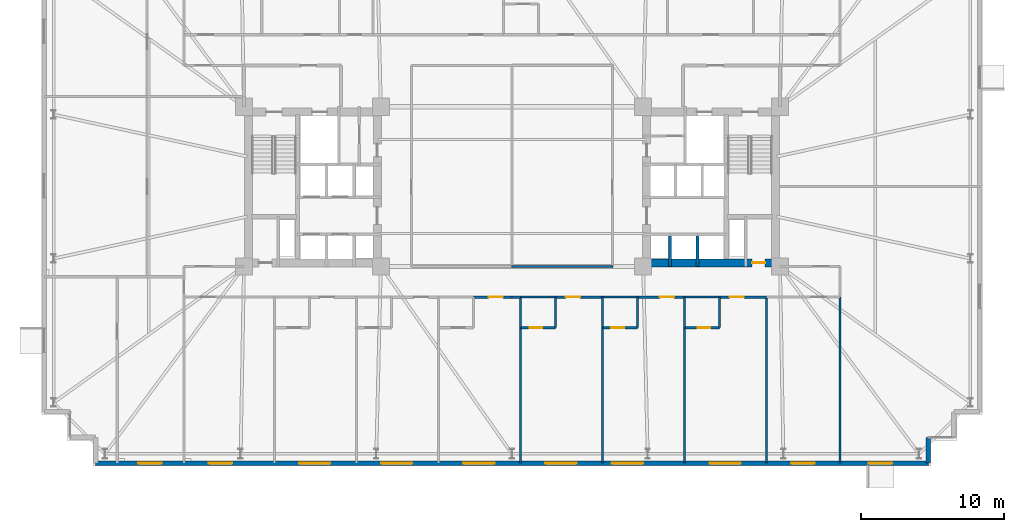
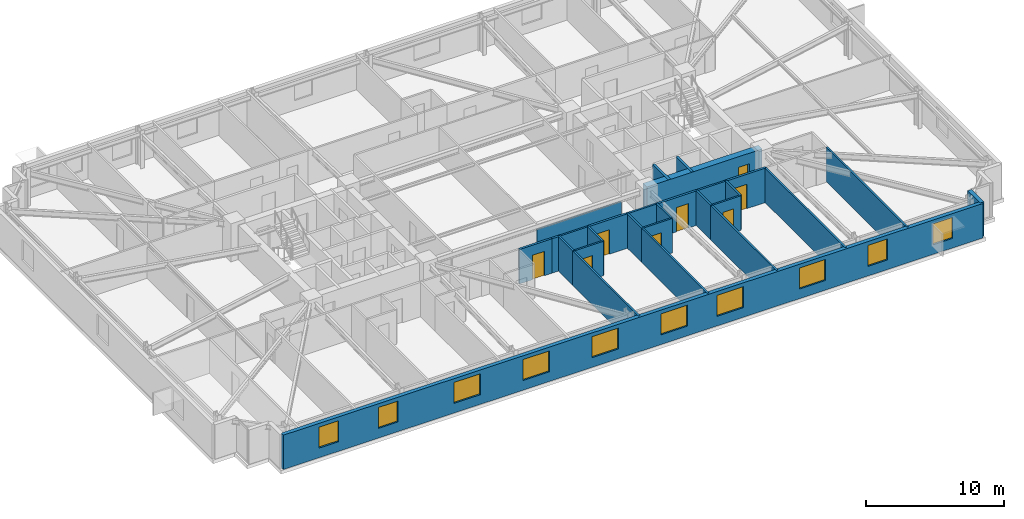
# One storey, part 16 of 20: 28 walls, 10 windows, 8 doors, 18 openings.
"""IFC4 building model written with IfcOpenShell, lengths in metres."""

from ifc_helpers import new_model, si_unit, direction, frame, frame_2d, origin, place, context, subcontext, project, spatial, rectangle, extrude, material, layer, layer_set, type_object, element, fill, save


model = new_model("IFC4")

# Units and contexts
model_context = context("Model", 3, precision=1e-05, world=origin(), true_north=direction((0.0, 1.0)))
body_context = subcontext(model_context, "Body", "Model", "MODEL_VIEW")
ifc_project = project(units=[si_unit("LENGTHUNIT", "METRE"), si_unit("AREAUNIT", "SQUARE_METRE"), si_unit("VOLUMEUNIT", "CUBIC_METRE"), si_unit("PLANEANGLEUNIT", "RADIAN"), si_unit("MASSUNIT", "GRAM", prefix="KILO")], contexts=[model_context])

# Site, building, storey
site_placement = place(None, origin())
site = spatial("IfcSite", under=ifc_project, at=site_placement, CompositionType="ELEMENT")
building_placement = place(site_placement, origin())
building = spatial("IfcBuilding", under=site, at=building_placement, Name="Qobustan Lattice House", CompositionType="ELEMENT")
storey_placement = place(building_placement, frame((0.0, 0.0, 67.199951171875)))
storey = spatial("IfcBuildingStorey", under=building, at=storey_placement, Name="L18", CompositionType="ELEMENT", Elevation=67.199951171875)

# Wall, opening, door
ifc_material_1 = material(Name="Concrete C60/75", Category="concrete")
ifc_layer_1 = layer(ifc_material_1, 0.56005859375)
ifc_layer_set_1 = layer_set([ifc_layer_1], Name="Concrete C60/75")
wall_type_1 = type_object("IfcWallType", Name="WAL-CORE-600", PredefinedType="SHEAR", material=ifc_layer_set_1)
wall_1_placement = place(storey_placement, frame((9.199951171875, -5.35009765625, 0.0), z_axis=(0.0, 0.0, 1.0), x_axis=(1.0, 0.0, 0.0)))
wall_1 = element("IfcWall", 1, at=wall_1_placement, inside=storey, type_object=wall_type_1, Name="L18 split-core shear wall CE-S", PredefinedType="SHEAR", context=body_context, shape_type="SweptSolid", body=[
    extrude(rectangle(XDim=9.60009765625, YDim=0.56005859375, at=frame_2d((4.800048828125, 0.0))), origin(), (0.0, 0.0, 1.0), 3.03515625),
])
opening_1_placement = place(wall_1_placement, frame((7.64990234375, 0.0, 0.0)))
opening_1 = element("IfcOpeningElement", 2, at=opening_1_placement, cuts=wall_1, Name="Opening RD-01", PredefinedType="OPENING", context=body_context, shape_type="SweptSolid", body=[
    extrude(rectangle(XDim=0.89990234375, YDim=2.10009765625, at=frame_2d((0.449951171875, 1.050048828125))), frame((0.0, 0.2900390625, 0.0), z_axis=(0.0, -1.0, 0.0), x_axis=(1.0, 0.0, 0.0)), (0.0, 0.0, 1.0), 0.580078125),
])
ifc_material_2 = material(Name="Persian walnut timber and steel frame door", Category="steel")
door_type_1 = type_object("IfcDoorType", Name="DOR-RISER-FD-900x2100", OperationType="NOTDEFINED", PredefinedType="DOOR", material=ifc_material_2)
door_1_placement = place(opening_1_placement, origin())
door_1 = element("IfcDoor", 3, at=door_1_placement, inside=storey, type_object=door_type_1, Name="L18 core service riser access door E", OperationType="SINGLE_SWING_RIGHT", OverallHeight=2.10009765625, OverallWidth=0.89990234375, PredefinedType="DOOR", context=body_context, shape_type="SweptSolid", body=[
    extrude(rectangle(XDim=0.89990234375, YDim=2.10009765625, at=frame_2d((0.449951171875, 1.050048828125))), frame((0.0, 0.02490234375, 0.0), z_axis=(0.0, -1.0, 0.0), x_axis=(1.0, 0.0, 0.0)), (0.0, 0.0, 1.0), 0.050048828125),
])
fill(opening_1, door_1)

# Wall
ifc_material_3 = material(Name="Precast concrete C40/50", Category="concrete")
ifc_layer_2 = layer(ifc_material_3, 0.320068359375)
ifc_layer_set_2 = layer_set([ifc_layer_2], Name="Precast concrete C40/50")
wall_type_2 = type_object("IfcWallType", Name="WAL-EXT-STONE-320", PredefinedType="SOLIDWALL", material=ifc_layer_set_2)
wall_2_placement = place(storey_placement, frame((29.199951171875, -17.60009765625, 0.0), z_axis=(0.0, 0.0, 1.0), x_axis=(0.0, -1.0, 0.0)))
element("IfcWall", 4, at=wall_2_placement, inside=storey, type_object=wall_type_2, Name="L18 exterior limestone-clad wall 19", PredefinedType="SOLIDWALL", context=body_context, shape_type="SweptSolid", body=[
    extrude(rectangle(XDim=1.7998046875, YDim=0.320068359375, at=frame_2d((0.89990234375, 0.0))), origin(), (0.0, 0.0, 1.0), 3.03515625),
])

# Wall, openings, windows
wall_3_placement = place(storey_placement, frame((29.199951171875, -19.39990234375, 0.0), z_axis=(0.0, 0.0, 1.0), x_axis=(-1.0, 0.0, 0.0)))
wall_3 = element("IfcWall", 5, at=wall_3_placement, inside=storey, type_object=wall_type_2, Name="L18 exterior limestone-clad wall 20", PredefinedType="SOLIDWALL", context=body_context, shape_type="SweptSolid", body=[
    extrude(rectangle(XDim=58.39990234375, YDim=0.320068359375, at=frame_2d((29.199951171875, 0.0))), origin(), (0.0, 0.0, 1.0), 3.03515625),
])
opening_2_placement = place(wall_3_placement, frame((2.534912109375, 0.0, 0.85009765625)))
opening_2 = element("IfcOpeningElement", 6, at=opening_2_placement, cuts=wall_3, Name="Opening WN-09", PredefinedType="OPENING", context=body_context, shape_type="SweptSolid", body=[
    extrude(rectangle(XDim=1.64990234375, YDim=1.85009765625, at=frame_2d((0.824951171875, 0.925048828125))), frame((0.0, 0.169921875, 0.0), z_axis=(0.0, -1.0, 0.0), x_axis=(1.0, 0.0, 0.0)), (0.0, 0.0, 1.0), 0.340087890625),
])
opening_3_placement = place(wall_3_placement, frame((7.97509765625, 0.0, 0.85009765625)))
opening_3 = element("IfcOpeningElement", 7, at=opening_3_placement, cuts=wall_3, Name="Opening WN-09", PredefinedType="OPENING", context=body_context, shape_type="SweptSolid", body=[
    extrude(rectangle(XDim=1.64990234375, YDim=1.85009765625, at=frame_2d((0.824951171875, 0.925048828125))), frame((0.0, 0.169921875, 0.0), z_axis=(0.0, -1.0, 0.0), x_axis=(1.0, 0.0, 0.0)), (0.0, 0.0, 1.0), 0.340087890625),
])
opening_4_placement = place(wall_3_placement, frame((13.139892578125, 0.0, 0.85009765625)))
opening_4 = element("IfcOpeningElement", 8, at=opening_4_placement, cuts=wall_3, Name="Opening WN-03", PredefinedType="OPENING", context=body_context, shape_type="SweptSolid", body=[
    extrude(rectangle(XDim=2.199951171875, YDim=1.85009765625, at=frame_2d((1.10009765625, 0.925048828125))), frame((0.0, 0.169921875, 0.0), z_axis=(0.0, -1.0, 0.0), x_axis=(1.0, 0.0, 0.0)), (0.0, 0.0, 1.0), 0.340087890625),
])
opening_5_placement = place(wall_3_placement, frame((19.991943359375, 0.0, 0.85009765625)))
opening_5 = element("IfcOpeningElement", 9, at=opening_5_placement, cuts=wall_3, Name="Opening WN-03", PredefinedType="OPENING", context=body_context, shape_type="SweptSolid", body=[
    extrude(rectangle(XDim=2.199951171875, YDim=1.85009765625, at=frame_2d((1.10009765625, 0.925048828125))), frame((0.0, 0.169921875, 0.0), z_axis=(0.0, -1.0, 0.0), x_axis=(1.0, 0.0, 0.0)), (0.0, 0.0, 1.0), 0.340087890625),
])
opening_6_placement = place(wall_3_placement, frame((24.659912109375, 0.0, 0.85009765625)))
opening_6 = element("IfcOpeningElement", 10, at=opening_6_placement, cuts=wall_3, Name="Opening WN-03", PredefinedType="OPENING", context=body_context, shape_type="SweptSolid", body=[
    extrude(rectangle(XDim=2.199951171875, YDim=1.85009765625, at=frame_2d((1.10009765625, 0.925048828125))), frame((0.0, 0.169921875, 0.0), z_axis=(0.0, -1.0, 0.0), x_axis=(1.0, 0.0, 0.0)), (0.0, 0.0, 1.0), 0.340087890625),
])
opening_7_placement = place(wall_3_placement, frame((30.419921875, 0.0, 0.85009765625)))
opening_7 = element("IfcOpeningElement", 11, at=opening_7_placement, cuts=wall_3, Name="Opening WN-03", PredefinedType="OPENING", context=body_context, shape_type="SweptSolid", body=[
    extrude(rectangle(XDim=2.199951171875, YDim=1.85009765625, at=frame_2d((1.10009765625, 0.925048828125))), frame((0.0, 0.169921875, 0.0), z_axis=(0.0, -1.0, 0.0), x_axis=(1.0, 0.0, 0.0)), (0.0, 0.0, 1.0), 0.340087890625),
])
opening_8_placement = place(wall_3_placement, frame((36.179931640625, 0.0, 0.85009765625)))
opening_8 = element("IfcOpeningElement", 12, at=opening_8_placement, cuts=wall_3, Name="Opening WN-03", PredefinedType="OPENING", context=body_context, shape_type="SweptSolid", body=[
    extrude(rectangle(XDim=2.199951171875, YDim=1.85009765625, at=frame_2d((1.10009765625, 0.925048828125))), frame((0.0, 0.169921875, 0.0), z_axis=(0.0, -1.0, 0.0), x_axis=(1.0, 0.0, 0.0)), (0.0, 0.0, 1.0), 0.340087890625),
])
opening_9_placement = place(wall_3_placement, frame((41.93994140625, 0.0, 0.85009765625)))
opening_9 = element("IfcOpeningElement", 13, at=opening_9_placement, cuts=wall_3, Name="Opening WN-03", PredefinedType="OPENING", context=body_context, shape_type="SweptSolid", body=[
    extrude(rectangle(XDim=2.199951171875, YDim=1.85009765625, at=frame_2d((1.10009765625, 0.925048828125))), frame((0.0, 0.169921875, 0.0), z_axis=(0.0, -1.0, 0.0), x_axis=(1.0, 0.0, 0.0)), (0.0, 0.0, 1.0), 0.340087890625),
])
opening_10_placement = place(wall_3_placement, frame((48.820556640625, 0.0, 0.85009765625)))
opening_10 = element("IfcOpeningElement", 14, at=opening_10_placement, cuts=wall_3, Name="Opening WN-09", PredefinedType="OPENING", context=body_context, shape_type="SweptSolid", body=[
    extrude(rectangle(XDim=1.64990234375, YDim=1.85009765625, at=frame_2d((0.824951171875, 0.925048828125))), frame((0.0, 0.169921875, 0.0), z_axis=(0.0, -1.0, 0.0), x_axis=(1.0, 0.0, 0.0)), (0.0, 0.0, 1.0), 0.340087890625),
])
opening_11_placement = place(wall_3_placement, frame((53.77490234375, 0.0, 0.85009765625)))
opening_11 = element("IfcOpeningElement", 15, at=opening_11_placement, cuts=wall_3, Name="Opening WN-09", PredefinedType="OPENING", context=body_context, shape_type="SweptSolid", body=[
    extrude(rectangle(XDim=1.64990234375, YDim=1.85009765625, at=frame_2d((0.824951171875, 0.925048828125))), frame((0.0, 0.169921875, 0.0), z_axis=(0.0, -1.0, 0.0), x_axis=(1.0, 0.0, 0.0)), (0.0, 0.0, 1.0), 0.340087890625),
])
ifc_material_4 = material(Name="Double-glazed low-E aluminium window", Category="aluminium")
window_type_1 = type_object("IfcWindowType", Name="WIN-STU-1650x1850", PartitioningType="SINGLE_PANEL", PredefinedType="WINDOW", material=ifc_material_4)
window_1_placement = place(opening_2_placement, origin())
window_1 = element("IfcWindow", 16, at=window_1_placement, inside=storey, type_object=window_type_1, Name="L18 Academic seminar room window", OverallHeight=1.85009765625, OverallWidth=1.64990234375, PartitioningType="SINGLE_PANEL", PredefinedType="WINDOW", context=body_context, shape_type="SweptSolid", body=[
    extrude(rectangle(XDim=1.64990234375, YDim=1.85009765625, at=frame_2d((0.824951171875, 0.925048828125))), frame((0.0, 0.030029296875, 0.0), z_axis=(0.0, -1.0, 0.0), x_axis=(1.0, 0.0, 0.0)), (0.0, 0.0, 1.0), 0.06005859375),
])
fill(opening_2, window_1)
window_2_placement = place(opening_3_placement, origin())
window_2 = element("IfcWindow", 17, at=window_2_placement, inside=storey, type_object=window_type_1, Name="L18 Group study room window", OverallHeight=1.85009765625, OverallWidth=1.64990234375, PartitioningType="SINGLE_PANEL", PredefinedType="WINDOW", context=body_context, shape_type="SweptSolid", body=[
    extrude(rectangle(XDim=1.64990234375, YDim=1.85009765625, at=frame_2d((0.824951171875, 0.925048828125))), frame((0.0, 0.030029296875, 0.0), z_axis=(0.0, -1.0, 0.0), x_axis=(1.0, 0.0, 0.0)), (0.0, 0.0, 1.0), 0.06005859375),
])
fill(opening_3, window_2)
window_3_placement = place(opening_10_placement, origin())
window_3 = element("IfcWindow", 18, at=window_3_placement, inside=storey, type_object=window_type_1, Name="L18 Focus study room S1 window", OverallHeight=1.85009765625, OverallWidth=1.64990234375, PartitioningType="SINGLE_PANEL", PredefinedType="WINDOW", context=body_context, shape_type="SweptSolid", body=[
    extrude(rectangle(XDim=1.64990234375, YDim=1.85009765625, at=frame_2d((0.824951171875, 0.925048828125))), frame((0.0, 0.030029296875, 0.0), z_axis=(0.0, -1.0, 0.0), x_axis=(1.0, 0.0, 0.0)), (0.0, 0.0, 1.0), 0.06005859375),
])
fill(opening_10, window_3)
window_4_placement = place(opening_11_placement, origin())
window_4 = element("IfcWindow", 19, at=window_4_placement, inside=storey, type_object=window_type_1, Name="L18 Focus study room W1B window", OverallHeight=1.85009765625, OverallWidth=1.64990234375, PartitioningType="SINGLE_PANEL", PredefinedType="WINDOW", context=body_context, shape_type="SweptSolid", body=[
    extrude(rectangle(XDim=1.64990234375, YDim=1.85009765625, at=frame_2d((0.824951171875, 0.925048828125))), frame((0.0, 0.030029296875, 0.0), z_axis=(0.0, -1.0, 0.0), x_axis=(1.0, 0.0, 0.0)), (0.0, 0.0, 1.0), 0.06005859375),
])
fill(opening_11, window_4)
ifc_material_5 = material(Name="Double-glazed low-E aluminium window", Category="aluminium")
window_type_2 = type_object("IfcWindowType", Name="WIN-WIDE-2200x1850", PartitioningType="SINGLE_PANEL", PredefinedType="WINDOW", material=ifc_material_5)
window_5_placement = place(opening_4_placement, origin())
window_5 = element("IfcWindow", 20, at=window_5_placement, inside=storey, type_object=window_type_2, Name="L18 Kitchenette and studio apartment L18-S7 window", OverallHeight=1.85009765625, OverallWidth=2.199951171875, PartitioningType="SINGLE_PANEL", PredefinedType="WINDOW", context=body_context, shape_type="SweptSolid", body=[
    extrude(rectangle(XDim=2.199951171875, YDim=1.85009765625, at=frame_2d((1.10009765625, 0.925048828125))), frame((0.0, 0.030029296875, 0.0), z_axis=(0.0, -1.0, 0.0), x_axis=(1.0, 0.0, 0.0)), (0.0, 0.0, 1.0), 0.06005859375),
])
fill(opening_4, window_5)
window_6_placement = place(opening_5_placement, origin())
window_6 = element("IfcWindow", 21, at=window_6_placement, inside=storey, type_object=window_type_2, Name="L18 Kitchenette and studio apartment L18-S6 window", OverallHeight=1.85009765625, OverallWidth=2.199951171875, PartitioningType="SINGLE_PANEL", PredefinedType="WINDOW", context=body_context, shape_type="SweptSolid", body=[
    extrude(rectangle(XDim=2.199951171875, YDim=1.85009765625, at=frame_2d((1.10009765625, 0.925048828125))), frame((0.0, 0.030029296875, 0.0), z_axis=(0.0, -1.0, 0.0), x_axis=(1.0, 0.0, 0.0)), (0.0, 0.0, 1.0), 0.06005859375),
])
fill(opening_5, window_6)
window_7_placement = place(opening_6_placement, origin())
window_7 = element("IfcWindow", 22, at=window_7_placement, inside=storey, type_object=window_type_2, Name="L18 Kitchenette and studio apartment L18-S5 window", OverallHeight=1.85009765625, OverallWidth=2.199951171875, PartitioningType="SINGLE_PANEL", PredefinedType="WINDOW", context=body_context, shape_type="SweptSolid", body=[
    extrude(rectangle(XDim=2.199951171875, YDim=1.85009765625, at=frame_2d((1.10009765625, 0.925048828125))), frame((0.0, 0.030029296875, 0.0), z_axis=(0.0, -1.0, 0.0), x_axis=(1.0, 0.0, 0.0)), (0.0, 0.0, 1.0), 0.06005859375),
])
fill(opening_6, window_7)
window_8_placement = place(opening_7_placement, origin())
window_8 = element("IfcWindow", 23, at=window_8_placement, inside=storey, type_object=window_type_2, Name="L18 Kitchenette and studio apartment L18-S4 window", OverallHeight=1.85009765625, OverallWidth=2.199951171875, PartitioningType="SINGLE_PANEL", PredefinedType="WINDOW", context=body_context, shape_type="SweptSolid", body=[
    extrude(rectangle(XDim=2.199951171875, YDim=1.85009765625, at=frame_2d((1.10009765625, 0.925048828125))), frame((0.0, 0.030029296875, 0.0), z_axis=(0.0, -1.0, 0.0), x_axis=(1.0, 0.0, 0.0)), (0.0, 0.0, 1.0), 0.06005859375),
])
fill(opening_7, window_8)
window_9_placement = place(opening_8_placement, origin())
window_9 = element("IfcWindow", 24, at=window_9_placement, inside=storey, type_object=window_type_2, Name="L18 Kitchenette and studio apartment L18-S3 window", OverallHeight=1.85009765625, OverallWidth=2.199951171875, PartitioningType="SINGLE_PANEL", PredefinedType="WINDOW", context=body_context, shape_type="SweptSolid", body=[
    extrude(rectangle(XDim=2.199951171875, YDim=1.85009765625, at=frame_2d((1.10009765625, 0.925048828125))), frame((0.0, 0.030029296875, 0.0), z_axis=(0.0, -1.0, 0.0), x_axis=(1.0, 0.0, 0.0)), (0.0, 0.0, 1.0), 0.06005859375),
])
fill(opening_8, window_9)
window_10_placement = place(opening_9_placement, origin())
window_10 = element("IfcWindow", 25, at=window_10_placement, inside=storey, type_object=window_type_2, Name="L18 Kitchenette and studio apartment L18-S2 window", OverallHeight=1.85009765625, OverallWidth=2.199951171875, PartitioningType="SINGLE_PANEL", PredefinedType="WINDOW", context=body_context, shape_type="SweptSolid", body=[
    extrude(rectangle(XDim=2.199951171875, YDim=1.85009765625, at=frame_2d((1.10009765625, 0.925048828125))), frame((0.0, 0.030029296875, 0.0), z_axis=(0.0, -1.0, 0.0), x_axis=(1.0, 0.0, 0.0)), (0.0, 0.0, 1.0), 0.06005859375),
])
fill(opening_9, window_10)

# Wall, opening, door
ifc_material_6 = material(Name="Gypsum fireboard acoustic partition", Category="gypsum")
ifc_layer_3 = layer(ifc_material_6, 0.179931640625)
ifc_layer_set_3 = layer_set([ifc_layer_3], Name="Gypsum fireboard acoustic partition")
wall_type_3 = type_object("IfcWallType", Name="WAL-FIRE-180", PredefinedType="PARTITIONING", material=ifc_layer_set_3)
wall_4_placement = place(storey_placement, frame((0.0, -7.75, 0.0), z_axis=(0.0, 0.0, 1.0), x_axis=(-1.0, 0.0, 0.0)))
wall_4 = element("IfcWall", 26, at=wall_4_placement, inside=storey, type_object=wall_type_3, Name="L18 interior partition 62", PredefinedType="PARTITIONING", context=body_context, shape_type="SweptSolid", body=[
    extrude(rectangle(XDim=2.699951171875, YDim=0.179931640625, at=frame_2d((1.35009765625, 0.0))), origin(), (0.0, 0.0, 1.0), 3.03515625),
])
opening_12_placement = place(wall_4_placement, frame((0.6474609375, 0.0, 0.0)))
opening_12 = element("IfcOpeningElement", 27, at=opening_12_placement, cuts=wall_4, Name="Opening FD-02", PredefinedType="OPENING", context=body_context, shape_type="SweptSolid", body=[
    extrude(rectangle(XDim=1.0, YDim=2.14990234375, at=frame_2d((0.5, 1.074951171875))), frame((0.0, 0.099853515625, 0.0), z_axis=(0.0, -1.0, 0.0), x_axis=(1.0, 0.0, 0.0)), (0.0, 0.0, 1.0), 0.199951171875),
])
ifc_material_7 = material(Name="Persian walnut timber and steel frame door", Category="steel")
door_type_2 = type_object("IfcDoorType", Name="DOR-UNIT-FD-1000x2150", OperationType="NOTDEFINED", PredefinedType="DOOR", material=ifc_material_7)
door_2_placement = place(opening_12_placement, origin())
door_2 = element("IfcDoor", 28, at=door_2_placement, inside=storey, type_object=door_type_2, Name="L18 South-west floor corridor to Kitchenette and studio apartment L18-S4 door", OperationType="SINGLE_SWING_LEFT", OverallHeight=2.14990234375, OverallWidth=1.0, PredefinedType="DOOR", context=body_context, shape_type="SweptSolid", body=[
    extrude(rectangle(XDim=1.0, YDim=2.14990234375, at=frame_2d((0.5, 1.074951171875))), frame((0.0, 0.02490234375, 0.0), z_axis=(0.0, -1.0, 0.0), x_axis=(1.0, 0.0, 0.0)), (0.0, 0.0, 1.0), 0.050048828125),
])
fill(opening_12, door_2)

# Wall
wall_5_placement = place(storey_placement, frame((0.60009765625, -7.75, 0.0), z_axis=(0.0, 0.0, 1.0), x_axis=(-1.0, 0.0, 0.0)))
element("IfcWall", 29, at=wall_5_placement, inside=storey, type_object=wall_type_3, Name="L18 interior partition 67", PredefinedType="PARTITIONING", context=body_context, shape_type="SweptSolid", body=[
    extrude(rectangle(XDim=0.60009765625, YDim=0.179931640625, at=frame_2d((0.300048828125, 0.0))), origin(), (0.0, 0.0, 1.0), 3.03515625),
])

# Wall, opening, door
wall_6_placement = place(storey_placement, frame((6.35009765625, -7.75, 0.0), z_axis=(0.0, 0.0, 1.0), x_axis=(-1.0, 0.0, 0.0)))
wall_6 = element("IfcWall", 30, at=wall_6_placement, inside=storey, type_object=wall_type_3, Name="L18 interior partition 68", PredefinedType="PARTITIONING", context=body_context, shape_type="SweptSolid", body=[
    extrude(rectangle(XDim=3.300048828125, YDim=0.179931640625, at=frame_2d((1.64990234375, 0.0))), origin(), (0.0, 0.0, 1.0), 3.03515625),
])
opening_13_placement = place(wall_6_placement, frame((1.577392578125, 0.0, 0.0)))
opening_13 = element("IfcOpeningElement", 31, at=opening_13_placement, cuts=wall_6, Name="Opening FD-02", PredefinedType="OPENING", context=body_context, shape_type="SweptSolid", body=[
    extrude(rectangle(XDim=1.0, YDim=2.14990234375, at=frame_2d((0.5, 1.074951171875))), frame((0.0, 0.099853515625, 0.0), z_axis=(0.0, -1.0, 0.0), x_axis=(1.0, 0.0, 0.0)), (0.0, 0.0, 1.0), 0.199951171875),
])
door_3_placement = place(opening_13_placement, origin())
door_3 = element("IfcDoor", 32, at=door_3_placement, inside=storey, type_object=door_type_2, Name="L18 South-east floor corridor to Kitchenette and studio apartment L18-S5 door", OperationType="SINGLE_SWING_LEFT", OverallHeight=2.14990234375, OverallWidth=1.0, PredefinedType="DOOR", context=body_context, shape_type="SweptSolid", body=[
    extrude(rectangle(XDim=1.0, YDim=2.14990234375, at=frame_2d((0.5, 1.074951171875))), frame((0.0, 0.02490234375, 0.0), z_axis=(0.0, -1.0, 0.0), x_axis=(1.0, 0.0, 0.0)), (0.0, 0.0, 1.0), 0.050048828125),
])
fill(opening_13, door_3)

wall_7_placement = place(storey_placement, frame((12.10009765625, -7.75, 0.0), z_axis=(0.0, 0.0, 1.0), x_axis=(-1.0, 0.0, 0.0)))
wall_7 = element("IfcWall", 33, at=wall_7_placement, inside=storey, type_object=wall_type_3, Name="L18 interior partition 70", PredefinedType="PARTITIONING", context=body_context, shape_type="SweptSolid", body=[
    extrude(rectangle(XDim=3.300048828125, YDim=0.179931640625, at=frame_2d((1.64990234375, 0.0))), origin(), (0.0, 0.0, 1.0), 3.03515625),
])
opening_14_placement = place(wall_7_placement, frame((0.722412109375, 0.0, 0.0)))
opening_14 = element("IfcOpeningElement", 34, at=opening_14_placement, cuts=wall_7, Name="Opening FD-02", PredefinedType="OPENING", context=body_context, shape_type="SweptSolid", body=[
    extrude(rectangle(XDim=1.0, YDim=2.14990234375, at=frame_2d((0.5, 1.074951171875))), frame((0.0, 0.099853515625, 0.0), z_axis=(0.0, -1.0, 0.0), x_axis=(1.0, 0.0, 0.0)), (0.0, 0.0, 1.0), 0.199951171875),
])
door_4_placement = place(opening_14_placement, origin())
door_4 = element("IfcDoor", 35, at=door_4_placement, inside=storey, type_object=door_type_2, Name="L18 South-east floor corridor to Kitchenette and studio apartment L18-S6 door", OperationType="SINGLE_SWING_RIGHT", OverallHeight=2.14990234375, OverallWidth=1.0, PredefinedType="DOOR", context=body_context, shape_type="SweptSolid", body=[
    extrude(rectangle(XDim=1.0, YDim=2.14990234375, at=frame_2d((0.5, 1.074951171875))), frame((0.0, 0.02490234375, 0.0), z_axis=(0.0, -1.0, 0.0), x_axis=(1.0, 0.0, 0.0)), (0.0, 0.0, 1.0), 0.050048828125),
])
fill(opening_14, door_4)

wall_8_placement = place(storey_placement, frame((17.85009765625, -7.75, 0.0), z_axis=(0.0, 0.0, 1.0), x_axis=(-1.0, 0.0, 0.0)))
wall_8 = element("IfcWall", 36, at=wall_8_placement, inside=storey, type_object=wall_type_3, Name="L18 interior partition 72", PredefinedType="PARTITIONING", context=body_context, shape_type="SweptSolid", body=[
    extrude(rectangle(XDim=3.300048828125, YDim=0.179931640625, at=frame_2d((1.64990234375, 0.0))), origin(), (0.0, 0.0, 1.0), 3.03515625),
])
opening_15_placement = place(wall_8_placement, frame((1.577392578125, 0.0, 0.0)))
opening_15 = element("IfcOpeningElement", 37, at=opening_15_placement, cuts=wall_8, Name="Opening FD-02", PredefinedType="OPENING", context=body_context, shape_type="SweptSolid", body=[
    extrude(rectangle(XDim=1.0, YDim=2.14990234375, at=frame_2d((0.5, 1.074951171875))), frame((0.0, 0.099853515625, 0.0), z_axis=(0.0, -1.0, 0.0), x_axis=(1.0, 0.0, 0.0)), (0.0, 0.0, 1.0), 0.199951171875),
])
door_5_placement = place(opening_15_placement, origin())
door_5 = element("IfcDoor", 38, at=door_5_placement, inside=storey, type_object=door_type_2, Name="L18 South-east floor corridor to Kitchenette and studio apartment L18-S7 door", OperationType="SINGLE_SWING_LEFT", OverallHeight=2.14990234375, OverallWidth=1.0, PredefinedType="DOOR", context=body_context, shape_type="SweptSolid", body=[
    extrude(rectangle(XDim=1.0, YDim=2.14990234375, at=frame_2d((0.5, 1.074951171875))), frame((0.0, 0.02490234375, 0.0), z_axis=(0.0, -1.0, 0.0), x_axis=(1.0, 0.0, 0.0)), (0.0, 0.0, 1.0), 0.050048828125),
])
fill(opening_15, door_5)

# Walls
ifc_material_8 = material(Name="Lightweight acoustic stud partition", Category="gypsum")
ifc_layer_4 = layer(ifc_material_8, 0.125)
ifc_layer_set_4 = layer_set([ifc_layer_4], Name="Lightweight acoustic stud partition")
wall_type_4 = type_object("IfcWallType", Name="WAL-PART-125", PredefinedType="PARTITIONING", material=ifc_layer_set_4)
wall_9_placement = place(storey_placement, frame((0.0, -5.60009765625, 0.0), z_axis=(0.0, 0.0, 1.0), x_axis=(1.0, 0.0, 0.0)))
element("IfcWall", 39, at=wall_9_placement, inside=storey, type_object=wall_type_4, Name="L18 interior partition 75", PredefinedType="PARTITIONING", context=body_context, shape_type="SweptSolid", body=[
    extrude(rectangle(XDim=7.050048828125, YDim=0.125, at=frame_2d((3.52490234375, 0.0))), origin(), (0.0, 0.0, 1.0), 2.52001953125),
])
ifc_material_9 = material(Name="Acoustic twin-stud gypsum partition", Category="gypsum")
ifc_layer_5 = layer(ifc_material_9, 0.14990234375)
ifc_layer_set_5 = layer_set([ifc_layer_5], Name="Acoustic twin-stud gypsum partition")
wall_type_5 = type_object("IfcWallType", Name="WAL-PART-150", PredefinedType="PARTITIONING", material=ifc_layer_set_5)
wall_10_placement = place(storey_placement, frame((23.0, -19.39990234375, 0.0), z_axis=(0.0, 0.0, 1.0), x_axis=(0.0, 1.0, 0.0)))
element("IfcWall", 40, at=wall_10_placement, inside=storey, type_object=wall_type_5, Name="L18 interior partition 89", PredefinedType="PARTITIONING", context=body_context, shape_type="SweptSolid", body=[
    extrude(rectangle(XDim=11.64990234375, YDim=0.14990234375, at=frame_2d((5.824951171875, 0.0))), origin(), (0.0, 0.0, 1.0), 3.03515625),
])
for number, where, z_axis, x_axis, name in (
    (41, (0.60009765625, -9.89990234375, 0.0), (0.0, 0.0, 1.0), (0.0, -1.0, 0.0), "L18 interior partition 112"),
    (42, (6.35009765625, -9.89990234375, 0.0), (0.0, 0.0, 1.0), (0.0, -1.0, 0.0), "L18 interior partition 116"),
    (43, (12.10009765625, -9.89990234375, 0.0), (0.0, 0.0, 1.0), (0.0, -1.0, 0.0), "L18 interior partition 120"),
):
    element("IfcWall", number, at=place(storey_placement, frame(where, z_axis=z_axis, x_axis=x_axis)), inside=storey, type_object=wall_type_5, Name=name, PredefinedType="PARTITIONING", context=body_context, shape_type="SweptSolid", body=[
        extrude(rectangle(XDim=9.5, YDim=0.14990234375, at=frame_2d((4.75, 0.0))), origin(), (0.0, 0.0, 1.0), 3.03515625),
    ])
wall_11_placement = place(storey_placement, frame((17.85009765625, -7.75, 0.0), z_axis=(0.0, 0.0, 1.0), x_axis=(0.0, -1.0, 0.0)))
element("IfcWall", 44, at=wall_11_placement, inside=storey, type_object=wall_type_5, Name="L18 interior partition 124", PredefinedType="PARTITIONING", context=body_context, shape_type="SweptSolid", body=[
    extrude(rectangle(XDim=11.64990234375, YDim=0.14990234375, at=frame_2d((5.824951171875, 0.0))), origin(), (0.0, 0.0, 1.0), 3.03515625),
])
ifc_material_10 = material(Name="Concrete C40/50", Category="concrete")
ifc_layer_6 = layer(ifc_material_10, 0.199951171875)
ifc_layer_set_6 = layer_set([ifc_layer_6], Name="Concrete C40/50")
wall_type_6 = type_object("IfcWallType", Name="WAL-SHAFT-200", PredefinedType="PARTITIONING", material=ifc_layer_set_6)
for number, where, z_axis, x_axis, name in (
    (45, (11.080078125, -5.60009765625, 0.0), (0.0, 0.0, 1.0), (0.0, 1.0, 0.0), "L18 interior partition 35"),
    (46, (13.02001953125, -5.60009765625, 0.0), (0.0, 0.0, 1.0), (0.0, 1.0, 0.0), "L18 interior partition 36"),
):
    element("IfcWall", number, at=place(storey_placement, frame(where, z_axis=z_axis, x_axis=x_axis)), inside=storey, type_object=wall_type_6, Name=name, PredefinedType="PARTITIONING", context=body_context, shape_type="SweptSolid", body=[
        extrude(rectangle(XDim=2.25, YDim=0.199951171875, at=frame_2d((1.125, 0.0))), origin(), (0.0, 0.0, 1.0), 3.03515625),
    ])
ifc_material_11 = material(Name="Moisture-resistant acoustic plumbing wall", Category="gypsum")
ifc_layer_7 = layer(ifc_material_11, 0.14990234375)
ifc_layer_set_7 = layer_set([ifc_layer_7], Name="Moisture-resistant acoustic plumbing wall")
wall_type_7 = type_object("IfcWallType", Name="WAL-WET-150", PredefinedType="PLUMBINGWALL", material=ifc_layer_set_7)
for number, where, z_axis, x_axis, name in (
    (47, (3.050048828125, -7.75, 0.0), (0.0, 0.0, 1.0), (-1.0, 0.0, 0.0), "L18 interior partition 69"),
    (48, (8.800048828125, -7.75, 0.0), (0.0, 0.0, 1.0), (-1.0, 0.0, 0.0), "L18 interior partition 71"),
    (49, (14.550048828125, -7.75, 0.0), (0.0, 0.0, 1.0), (-1.0, 0.0, 0.0), "L18 interior partition 73"),
):
    element("IfcWall", number, at=place(storey_placement, frame(where, z_axis=z_axis, x_axis=x_axis)), inside=storey, type_object=wall_type_7, Name=name, PredefinedType="PLUMBINGWALL", context=body_context, shape_type="SweptSolid", body=[
        extrude(rectangle(XDim=2.449951171875, YDim=0.14990234375, at=frame_2d((1.22509765625, 0.0))), origin(), (0.0, 0.0, 1.0), 3.03515625),
    ])
wall_12_placement = place(storey_placement, frame((0.60009765625, -7.75, 0.0), z_axis=(0.0, 0.0, 1.0), x_axis=(0.0, -1.0, 0.0)))
element("IfcWall", 50, at=wall_12_placement, inside=storey, type_object=wall_type_7, Name="L18 interior partition 113", PredefinedType="PLUMBINGWALL", context=body_context, shape_type="SweptSolid", body=[
    extrude(rectangle(XDim=2.14990234375, YDim=0.14990234375, at=frame_2d((1.074951171875, 0.0))), origin(), (0.0, 0.0, 1.0), 3.03515625),
])

# Wall, opening, door
wall_13_placement = place(storey_placement, frame((0.60009765625, -9.89990234375, 0.0), z_axis=(0.0, 0.0, 1.0), x_axis=(1.0, 0.0, 0.0)))
wall_13 = element("IfcWall", 51, at=wall_13_placement, inside=storey, type_object=wall_type_7, Name="L18 interior partition 114", PredefinedType="PLUMBINGWALL", context=body_context, shape_type="SweptSolid", body=[
    extrude(rectangle(XDim=2.449951171875, YDim=0.14990234375, at=frame_2d((1.22509765625, 0.0))), origin(), (0.0, 0.0, 1.0), 3.03515625),
])
opening_16_placement = place(wall_13_placement, frame((0.628662109375, 0.0, 0.0)))
opening_16 = element("IfcOpeningElement", 52, at=opening_16_placement, cuts=wall_13, Name="Opening WD-01", PredefinedType="OPENING", context=body_context, shape_type="SweptSolid", body=[
    extrude(rectangle(XDim=0.89990234375, YDim=2.10009765625, at=frame_2d((0.449951171875, 1.050048828125))), frame((0.0, 0.0849609375, 0.0), z_axis=(0.0, -1.0, 0.0), x_axis=(1.0, 0.0, 0.0)), (0.0, 0.0, 1.0), 0.169921875),
])
ifc_material_12 = material(Name="Persian walnut timber and steel frame door", Category="steel")
door_type_3 = type_object("IfcDoorType", Name="DOR-WET-900x2100", OperationType="NOTDEFINED", PredefinedType="DOOR", material=ifc_material_12)
door_6_placement = place(opening_16_placement, origin())
door_6 = element("IfcDoor", 53, at=door_6_placement, inside=storey, type_object=door_type_3, Name="L18 Kitchenette and studio apartment L18-S5 to En-suite bathroom L18-S5 door", OperationType="SINGLE_SWING_RIGHT", OverallHeight=2.10009765625, OverallWidth=0.89990234375, PredefinedType="DOOR", context=body_context, shape_type="SweptSolid", body=[
    extrude(rectangle(XDim=0.89990234375, YDim=2.10009765625, at=frame_2d((0.449951171875, 1.050048828125))), frame((0.0, 0.02490234375, 0.0), z_axis=(0.0, -1.0, 0.0), x_axis=(1.0, 0.0, 0.0)), (0.0, 0.0, 1.0), 0.050048828125),
])
fill(opening_16, door_6)

# Walls
for number, where, z_axis, x_axis, name in (
    (54, (3.050048828125, -9.89990234375, 0.0), (0.0, 0.0, 1.0), (0.0, 1.0, 0.0), "L18 interior partition 115"),
    (55, (6.35009765625, -7.75, 0.0), (0.0, 0.0, 1.0), (0.0, -1.0, 0.0), "L18 interior partition 117"),
):
    element("IfcWall", number, at=place(storey_placement, frame(where, z_axis=z_axis, x_axis=x_axis)), inside=storey, type_object=wall_type_7, Name=name, PredefinedType="PLUMBINGWALL", context=body_context, shape_type="SweptSolid", body=[
        extrude(rectangle(XDim=2.14990234375, YDim=0.14990234375, at=frame_2d((1.074951171875, 0.0))), origin(), (0.0, 0.0, 1.0), 3.03515625),
    ])

# Wall, opening, door
wall_14_placement = place(storey_placement, frame((6.35009765625, -9.89990234375, 0.0), z_axis=(0.0, 0.0, 1.0), x_axis=(1.0, 0.0, 0.0)))
wall_14 = element("IfcWall", 56, at=wall_14_placement, inside=storey, type_object=wall_type_7, Name="L18 interior partition 118", PredefinedType="PLUMBINGWALL", context=body_context, shape_type="SweptSolid", body=[
    extrude(rectangle(XDim=2.449951171875, YDim=0.14990234375, at=frame_2d((1.22509765625, 0.0))), origin(), (0.0, 0.0, 1.0), 3.03515625),
])
opening_17_placement = place(wall_14_placement, frame((0.62890625, 0.0, 0.0)))
opening_17 = element("IfcOpeningElement", 57, at=opening_17_placement, cuts=wall_14, Name="Opening WD-01", PredefinedType="OPENING", context=body_context, shape_type="SweptSolid", body=[
    extrude(rectangle(XDim=0.89990234375, YDim=2.10009765625, at=frame_2d((0.449951171875, 1.050048828125))), frame((0.0, 0.0849609375, 0.0), z_axis=(0.0, -1.0, 0.0), x_axis=(1.0, 0.0, 0.0)), (0.0, 0.0, 1.0), 0.169921875),
])
door_7_placement = place(opening_17_placement, origin())
door_7 = element("IfcDoor", 58, at=door_7_placement, inside=storey, type_object=door_type_3, Name="L18 Kitchenette and studio apartment L18-S6 to En-suite bathroom L18-S6 door", OperationType="SINGLE_SWING_LEFT", OverallHeight=2.10009765625, OverallWidth=0.89990234375, PredefinedType="DOOR", context=body_context, shape_type="SweptSolid", body=[
    extrude(rectangle(XDim=0.89990234375, YDim=2.10009765625, at=frame_2d((0.449951171875, 1.050048828125))), frame((0.0, 0.02490234375, 0.0), z_axis=(0.0, -1.0, 0.0), x_axis=(1.0, 0.0, 0.0)), (0.0, 0.0, 1.0), 0.050048828125),
])
fill(opening_17, door_7)

# Walls
for number, where, z_axis, x_axis, name in (
    (59, (8.800048828125, -9.89990234375, 0.0), (0.0, 0.0, 1.0), (0.0, 1.0, 0.0), "L18 interior partition 119"),
    (60, (12.10009765625, -7.75, 0.0), (0.0, 0.0, 1.0), (0.0, -1.0, 0.0), "L18 interior partition 121"),
):
    element("IfcWall", number, at=place(storey_placement, frame(where, z_axis=z_axis, x_axis=x_axis)), inside=storey, type_object=wall_type_7, Name=name, PredefinedType="PLUMBINGWALL", context=body_context, shape_type="SweptSolid", body=[
        extrude(rectangle(XDim=2.14990234375, YDim=0.14990234375, at=frame_2d((1.074951171875, 0.0))), origin(), (0.0, 0.0, 1.0), 3.03515625),
    ])

# Wall, opening, door
wall_15_placement = place(storey_placement, frame((12.10009765625, -9.89990234375, 0.0), z_axis=(0.0, 0.0, 1.0), x_axis=(1.0, 0.0, 0.0)))
wall_15 = element("IfcWall", 61, at=wall_15_placement, inside=storey, type_object=wall_type_7, Name="L18 interior partition 122", PredefinedType="PLUMBINGWALL", context=body_context, shape_type="SweptSolid", body=[
    extrude(rectangle(XDim=2.449951171875, YDim=0.14990234375, at=frame_2d((1.22509765625, 0.0))), origin(), (0.0, 0.0, 1.0), 3.03515625),
])
opening_18_placement = place(wall_15_placement, frame((0.92138671875, 0.0, 0.0)))
opening_18 = element("IfcOpeningElement", 62, at=opening_18_placement, cuts=wall_15, Name="Opening WD-01", PredefinedType="OPENING", context=body_context, shape_type="SweptSolid", body=[
    extrude(rectangle(XDim=0.89990234375, YDim=2.10009765625, at=frame_2d((0.449951171875, 1.050048828125))), frame((0.0, 0.0849609375, 0.0), z_axis=(0.0, -1.0, 0.0), x_axis=(1.0, 0.0, 0.0)), (0.0, 0.0, 1.0), 0.169921875),
])
door_8_placement = place(opening_18_placement, origin())
door_8 = element("IfcDoor", 63, at=door_8_placement, inside=storey, type_object=door_type_3, Name="L18 Kitchenette and studio apartment L18-S7 to En-suite bathroom L18-S7 door", OperationType="SINGLE_SWING_RIGHT", OverallHeight=2.10009765625, OverallWidth=0.89990234375, PredefinedType="DOOR", context=body_context, shape_type="SweptSolid", body=[
    extrude(rectangle(XDim=0.89990234375, YDim=2.10009765625, at=frame_2d((0.449951171875, 1.050048828125))), frame((0.0, 0.02490234375, 0.0), z_axis=(0.0, -1.0, 0.0), x_axis=(1.0, 0.0, 0.0)), (0.0, 0.0, 1.0), 0.050048828125),
])
fill(opening_18, door_8)

# Wall
wall_16_placement = place(storey_placement, frame((14.550048828125, -9.89990234375, 0.0), z_axis=(0.0, 0.0, 1.0), x_axis=(0.0, 1.0, 0.0)))
element("IfcWall", 64, at=wall_16_placement, inside=storey, type_object=wall_type_7, Name="L18 interior partition 123", PredefinedType="PLUMBINGWALL", context=body_context, shape_type="SweptSolid", body=[
    extrude(rectangle(XDim=2.14990234375, YDim=0.14990234375, at=frame_2d((1.074951171875, 0.0))), origin(), (0.0, 0.0, 1.0), 3.03515625),
])

save(model, "model.ifc")
